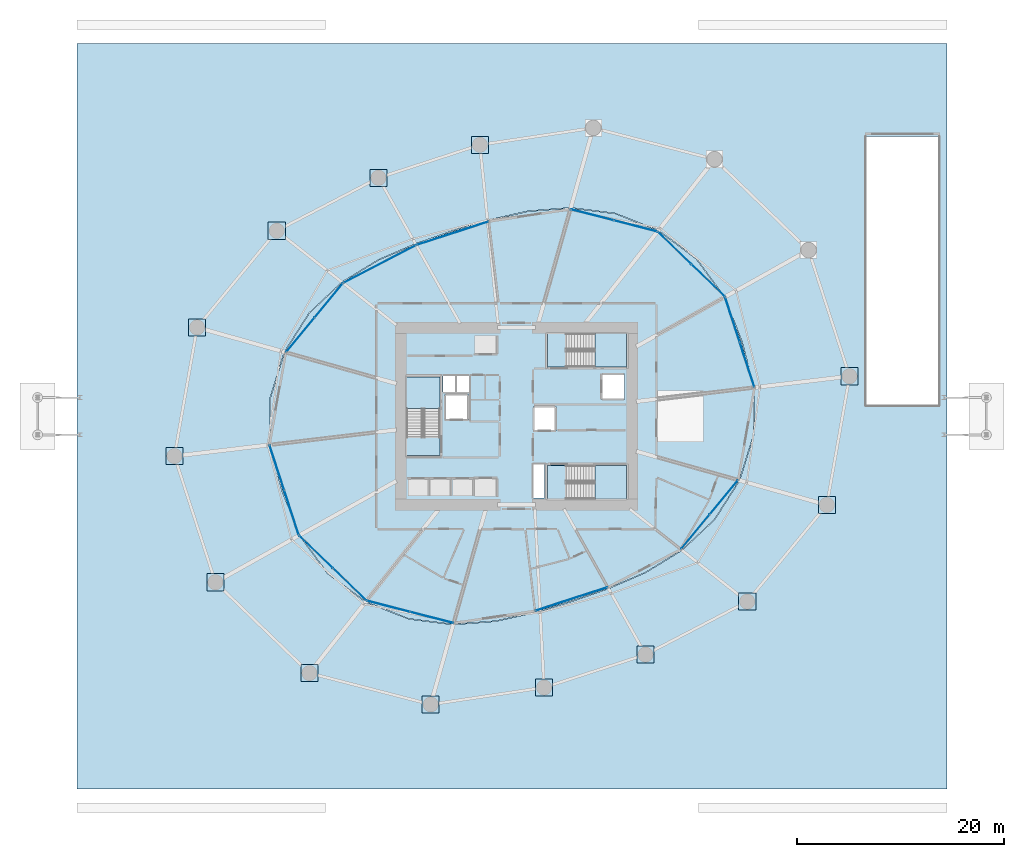
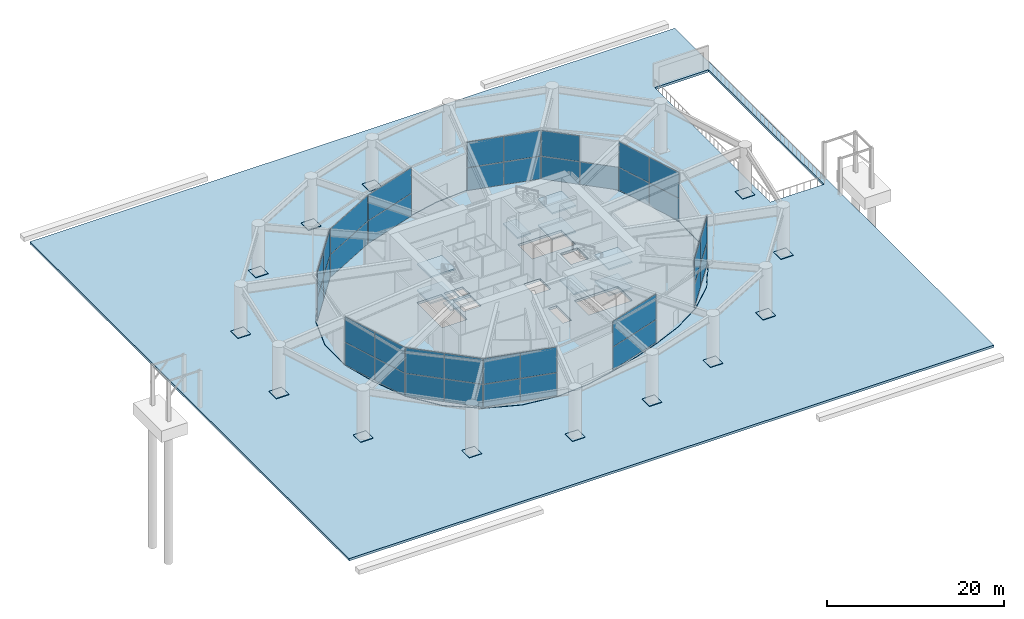
# One storey, part 17 of 28: 50 plates, 11 slabs, 14 elements without a shape of their own.
"""IFC4 building model written with IfcOpenShell, lengths in metres."""

from ifc_helpers import new_model, si_unit, direction, frame, origin, origin_2d, place, context, subcontext, project, spatial, polyline, rectangle, outline, extrude, material, layer, layer_set, type_object, element, aggregate, save


model = new_model("IFC4")

# Units and contexts
model_context = context("Model", 3, precision=1e-05, world=origin(), true_north=direction((0.0, 1.0)))
body_context = subcontext(model_context, "Body", "Model", "MODEL_VIEW")
ifc_project = project(units=[si_unit("LENGTHUNIT", "METRE"), si_unit("AREAUNIT", "SQUARE_METRE"), si_unit("VOLUMEUNIT", "CUBIC_METRE"), si_unit("PLANEANGLEUNIT", "RADIAN"), si_unit("MASSUNIT", "GRAM", prefix="KILO")], contexts=[model_context])

# Site, building, storey
site_placement = place(None, origin())
site = spatial("IfcSite", under=ifc_project, at=site_placement, CompositionType="ELEMENT")
building_placement = place(site_placement, origin())
building = spatial("IfcBuilding", under=site, at=building_placement, Name="Kazma Halo Residences", CompositionType="ELEMENT")
storey_placement = place(building_placement, origin())
storey = spatial("IfcBuildingStorey", under=building, at=storey_placement, Name="L00", CompositionType="ELEMENT", Elevation=0.0)

# Curtain wall, plates
ifc_material_1 = material(Name="Aluminium AW-6063 T6 and Triple-Silver Low-E Glass", Category="aluminium")
ifc_layer_1 = layer(ifc_material_1, 0.179931640625)
ifc_layer_set_1 = layer_set([ifc_layer_1], Name="Aluminium AW-6063 T6 and Triple-Silver Low-E Glass")
curtain_wall_type = type_object("IfcCurtainWallType", Name="CW-SYS-1", PredefinedType="NOTDEFINED", material=ifc_layer_set_1)
curtain_wall_1_placement = place(storey_placement, origin())
curtain_wall_1 = element("IfcCurtainWall", 1, at=curtain_wall_1_placement, inside=storey, type_object=curtain_wall_type, Name="L00 lobby unitised curtain wall 01", PredefinedType="NOTDEFINED")
ifc_material_2 = material(Name="Clear Triple-Silver Low-E Glass IGU", Category="glass")
ifc_layer_2 = layer(ifc_material_2, 0.031982421875)
ifc_layer_set_2 = layer_set([ifc_layer_2], Name="Clear Triple-Silver Low-E Glass IGU")
plate_type_1 = type_object("IfcPlateType", Name="CW-SYS-1-PNL", PredefinedType="CURTAIN_PANEL", material=ifc_layer_set_2)
plate_1_placement = place(storey_placement, frame((66.927734375, 55.10546875, 0.06494140625), z_axis=(0.0, 0.0, 1.0), x_axis=(-0.719691561517, 0.694293926432, 0.0)))
plate_1 = element("IfcPlate", 2, at=plate_1_placement, type_object=plate_type_1, Name="CWS-1 panel 1.1", PredefinedType="CURTAIN_PANEL", context=body_context, shape_type="SweptSolid", body=[
    extrude(rectangle(XDim=4.436279296875, YDim=0.031982421875, at=origin_2d()), origin(), (0.0, 0.0, 1.0), 3.1025390625),
])
plate_2_placement = place(storey_placement, frame((63.68798828125, 58.230712890625, 0.06494140625), z_axis=(0.0, 0.0, 1.0), x_axis=(-0.719691561517, 0.694293926432, 0.0)))
plate_2 = element("IfcPlate", 3, at=plate_2_placement, type_object=plate_type_1, Name="CWS-1 panel 2.1", PredefinedType="CURTAIN_PANEL", context=body_context, shape_type="SweptSolid", body=[
    extrude(rectangle(XDim=4.436279296875, YDim=0.031982421875, at=origin_2d()), origin(), (0.0, 0.0, 1.0), 3.1025390625),
])
plate_3_placement = place(storey_placement, frame((63.68798828125, 58.230712890625, 3.232421875), z_axis=(0.0, 0.0, 1.0), x_axis=(-0.719691561517, 0.694293926432, 0.0)))
plate_3 = element("IfcPlate", 4, at=plate_3_placement, type_object=plate_type_1, Name="CWS-1 panel 2.2", PredefinedType="CURTAIN_PANEL", context=body_context, shape_type="SweptSolid", body=[
    extrude(rectangle(XDim=4.436279296875, YDim=0.031982421875, at=origin_2d()), origin(), (0.0, 0.0, 1.0), 3.50244140625),
])
aggregate(curtain_wall_1, [plate_1, plate_2, plate_3])

curtain_wall_2_placement = place(storey_placement, origin())
curtain_wall_2 = element("IfcCurtainWall", 5, at=curtain_wall_2_placement, inside=storey, type_object=curtain_wall_type, Name="L00 lobby unitised curtain wall 02", PredefinedType="NOTDEFINED")
plate_4_placement = place(storey_placement, frame((59.9267578125, 60.361328125, 0.06494140625), z_axis=(0.0, 0.0, 1.0), x_axis=(-0.968414241538, 0.24934686039, 0.0)))
plate_4 = element("IfcPlate", 6, at=plate_4_placement, type_object=plate_type_1, Name="CWS-1 panel 1.1", PredefinedType="CURTAIN_PANEL", context=body_context, shape_type="SweptSolid", body=[
    extrude(rectangle(XDim=4.244384765625, YDim=0.031982421875, at=origin_2d()), origin(), (0.0, 0.0, 1.0), 3.1025390625),
])
plate_5_placement = place(storey_placement, frame((59.9267578125, 60.361328125, 3.232421875), z_axis=(0.0, 0.0, 1.0), x_axis=(-0.968414241538, 0.24934686039, 0.0)))
plate_5 = element("IfcPlate", 7, at=plate_5_placement, type_object=plate_type_1, Name="CWS-1 panel 1.2", PredefinedType="CURTAIN_PANEL", context=body_context, shape_type="SweptSolid", body=[
    extrude(rectangle(XDim=4.244384765625, YDim=0.031982421875, at=origin_2d()), origin(), (0.0, 0.0, 1.0), 3.50244140625),
])
plate_6_placement = place(storey_placement, frame((55.75341796875, 61.435791015625, 0.06494140625), z_axis=(0.0, 0.0, 1.0), x_axis=(-0.968414241538, 0.24934686039, 0.0)))
plate_6 = element("IfcPlate", 8, at=plate_6_placement, type_object=plate_type_1, Name="CWS-1 panel 2.1", PredefinedType="CURTAIN_PANEL", context=body_context, shape_type="SweptSolid", body=[
    extrude(rectangle(XDim=4.244384765625, YDim=0.031982421875, at=origin_2d()), origin(), (0.0, 0.0, 1.0), 3.1025390625),
])
plate_7_placement = place(storey_placement, frame((55.75341796875, 61.435791015625, 3.232421875), z_axis=(0.0, 0.0, 1.0), x_axis=(-0.968414241538, 0.24934686039, 0.0)))
plate_7 = element("IfcPlate", 9, at=plate_7_placement, type_object=plate_type_1, Name="CWS-1 panel 2.2", PredefinedType="CURTAIN_PANEL", context=body_context, shape_type="SweptSolid", body=[
    extrude(rectangle(XDim=4.244384765625, YDim=0.031982421875, at=origin_2d()), origin(), (0.0, 0.0, 1.0), 3.50244140625),
])
aggregate(curtain_wall_2, [plate_4, plate_5, plate_6, plate_7])

curtain_wall_3_placement = place(storey_placement, origin())
curtain_wall_3 = element("IfcCurtainWall", 10, at=curtain_wall_3_placement, inside=storey, type_object=curtain_wall_type, Name="L00 lobby unitised curtain wall 04", PredefinedType="NOTDEFINED")
plate_8_placement = place(storey_placement, frame((42.26318359375, 59.65576171875, 0.06494140625), z_axis=(0.0, 0.0, 1.0), x_axis=(-0.951055360755, -0.30902055074, 0.0)))
plate_8 = element("IfcPlate", 11, at=plate_8_placement, type_object=plate_type_1, Name="CWS-1 panel 1.1", PredefinedType="CURTAIN_PANEL", context=body_context, shape_type="SweptSolid", body=[
    extrude(rectangle(XDim=7.25537109375, YDim=0.031982421875, at=origin_2d()), origin(), (0.0, 0.0, 1.0), 3.1025390625),
])
plate_9_placement = place(storey_placement, frame((42.26318359375, 59.65576171875, 3.232421875), z_axis=(0.0, 0.0, 1.0), x_axis=(-0.951055360755, -0.30902055074, 0.0)))
plate_9 = element("IfcPlate", 12, at=plate_9_placement, type_object=plate_type_1, Name="CWS-1 panel 1.2", PredefinedType="CURTAIN_PANEL", context=body_context, shape_type="SweptSolid", body=[
    extrude(rectangle(XDim=7.25537109375, YDim=0.031982421875, at=origin_2d()), origin(), (0.0, 0.0, 1.0), 3.50244140625),
])
aggregate(curtain_wall_3, [plate_8, plate_9])

curtain_wall_4_placement = place(storey_placement, origin())
curtain_wall_4 = element("IfcCurtainWall", 13, at=curtain_wall_4_placement, inside=storey, type_object=curtain_wall_type, Name="L00 lobby unitised curtain wall 05", PredefinedType="NOTDEFINED")
plate_10_placement = place(storey_placement, frame((35.223876953125, 56.683837890625, 0.06494140625), z_axis=(0.0, 0.0, 1.0), x_axis=(-0.887564239052, -0.460683971456, 0.0)))
plate_10 = element("IfcPlate", 14, at=plate_10_placement, type_object=plate_type_1, Name="CWS-1 panel 1.1", PredefinedType="CURTAIN_PANEL", context=body_context, shape_type="SweptSolid", body=[
    extrude(rectangle(XDim=7.81884765625, YDim=0.031982421875, at=origin_2d()), origin(), (0.0, 0.0, 1.0), 3.1025390625),
])
plate_11_placement = place(storey_placement, frame((35.223876953125, 56.683837890625, 3.232421875), z_axis=(0.0, 0.0, 1.0), x_axis=(-0.887564239052, -0.460683971456, 0.0)))
plate_11 = element("IfcPlate", 15, at=plate_11_placement, type_object=plate_type_1, Name="CWS-1 panel 1.2", PredefinedType="CURTAIN_PANEL", context=body_context, shape_type="SweptSolid", body=[
    extrude(rectangle(XDim=7.81884765625, YDim=0.031982421875, at=origin_2d()), origin(), (0.0, 0.0, 1.0), 3.50244140625),
])
aggregate(curtain_wall_4, [plate_10, plate_11])

curtain_wall_5_placement = place(storey_placement, origin())
curtain_wall_5 = element("IfcCurtainWall", 16, at=curtain_wall_5_placement, inside=storey, type_object=curtain_wall_type, Name="L00 lobby unitised curtain wall 06", PredefinedType="NOTDEFINED")
plate_12_placement = place(storey_placement, frame((30.30322265625, 53.16650390625, 0.06494140625), z_axis=(0.0, 0.0, 1.0), x_axis=(-0.636902873463, -0.770944051001, 0.0)))
plate_12 = element("IfcPlate", 17, at=plate_12_placement, type_object=plate_type_1, Name="CWS-1 panel 1.1", PredefinedType="CURTAIN_PANEL", context=body_context, shape_type="SweptSolid", body=[
    extrude(rectangle(XDim=4.244384765625, YDim=0.031982421875, at=origin_2d()), origin(), (0.0, 0.0, 1.0), 3.1025390625),
])
plate_13_placement = place(storey_placement, frame((30.30322265625, 53.16650390625, 3.232421875), z_axis=(0.0, 0.0, 1.0), x_axis=(-0.636902873463, -0.770944051001, 0.0)))
plate_13 = element("IfcPlate", 18, at=plate_13_placement, type_object=plate_type_1, Name="CWS-1 panel 1.2", PredefinedType="CURTAIN_PANEL", context=body_context, shape_type="SweptSolid", body=[
    extrude(rectangle(XDim=4.244384765625, YDim=0.031982421875, at=origin_2d()), origin(), (0.0, 0.0, 1.0), 3.50244140625),
])
plate_14_placement = place(storey_placement, frame((27.55859375, 49.84423828125, 0.06494140625), z_axis=(0.0, 0.0, 1.0), x_axis=(-0.636902873463, -0.770944051001, 0.0)))
plate_14 = element("IfcPlate", 19, at=plate_14_placement, type_object=plate_type_1, Name="CWS-1 panel 2.1", PredefinedType="CURTAIN_PANEL", context=body_context, shape_type="SweptSolid", body=[
    extrude(rectangle(XDim=4.244384765625, YDim=0.031982421875, at=origin_2d()), origin(), (0.0, 0.0, 1.0), 3.1025390625),
])
plate_15_placement = place(storey_placement, frame((27.55859375, 49.84423828125, 3.232421875), z_axis=(0.0, 0.0, 1.0), x_axis=(-0.636902873463, -0.770944051001, 0.0)))
plate_15 = element("IfcPlate", 20, at=plate_15_placement, type_object=plate_type_1, Name="CWS-1 panel 2.2", PredefinedType="CURTAIN_PANEL", context=body_context, shape_type="SweptSolid", body=[
    extrude(rectangle(XDim=4.244384765625, YDim=0.031982421875, at=origin_2d()), origin(), (0.0, 0.0, 1.0), 3.50244140625),
])
aggregate(curtain_wall_5, [plate_12, plate_13, plate_14, plate_15])

curtain_wall_6_placement = place(storey_placement, origin())
curtain_wall_6 = element("IfcCurtainWall", 21, at=curtain_wall_6_placement, inside=storey, type_object=curtain_wall_type, Name="L00 lobby unitised curtain wall 08", PredefinedType="NOTDEFINED")
plate_16_placement = place(storey_placement, frame((25.302001953125, 37.026123046875, 0.06494140625), z_axis=(0.0, 0.0, 1.0), x_axis=(0.309014789719, -0.951057232628, 0.0)))
plate_16 = element("IfcPlate", 22, at=plate_16_placement, type_object=plate_type_1, Name="CWS-1 panel 1.1", PredefinedType="CURTAIN_PANEL", context=body_context, shape_type="SweptSolid", body=[
    extrude(rectangle(XDim=4.502197265625, YDim=0.031982421875, at=origin_2d()), origin(), (0.0, 0.0, 1.0), 3.1025390625),
])
plate_17_placement = place(storey_placement, frame((25.302001953125, 37.026123046875, 3.232421875), z_axis=(0.0, 0.0, 1.0), x_axis=(0.309014789719, -0.951057232628, 0.0)))
plate_17 = element("IfcPlate", 23, at=plate_17_placement, type_object=plate_type_1, Name="CWS-1 panel 1.2", PredefinedType="CURTAIN_PANEL", context=body_context, shape_type="SweptSolid", body=[
    extrude(rectangle(XDim=4.502197265625, YDim=0.031982421875, at=origin_2d()), origin(), (0.0, 0.0, 1.0), 3.50244140625),
])
plate_18_placement = place(storey_placement, frame((26.71337890625, 32.6826171875, 0.06494140625), z_axis=(0.0, 0.0, 1.0), x_axis=(0.309014789719, -0.951057232628, 0.0)))
plate_18 = element("IfcPlate", 24, at=plate_18_placement, type_object=plate_type_1, Name="CWS-1 panel 2.1", PredefinedType="CURTAIN_PANEL", context=body_context, shape_type="SweptSolid", body=[
    extrude(rectangle(XDim=4.502197265625, YDim=0.031982421875, at=origin_2d()), origin(), (0.0, 0.0, 1.0), 3.1025390625),
])
plate_19_placement = place(storey_placement, frame((26.71337890625, 32.6826171875, 3.232421875), z_axis=(0.0, 0.0, 1.0), x_axis=(0.309014789719, -0.951057232628, 0.0)))
plate_19 = element("IfcPlate", 25, at=plate_19_placement, type_object=plate_type_1, Name="CWS-1 panel 2.2", PredefinedType="CURTAIN_PANEL", context=body_context, shape_type="SweptSolid", body=[
    extrude(rectangle(XDim=4.502197265625, YDim=0.031982421875, at=origin_2d()), origin(), (0.0, 0.0, 1.0), 3.50244140625),
])
aggregate(curtain_wall_6, [plate_16, plate_17, plate_18, plate_19])

curtain_wall_7_placement = place(storey_placement, origin())
curtain_wall_7 = element("IfcCurtainWall", 26, at=curtain_wall_7_placement, inside=storey, type_object=curtain_wall_type, Name="L00 lobby unitised curtain wall 09", PredefinedType="NOTDEFINED")
plate_20_placement = place(storey_placement, frame((29.072265625, 28.89453125, 0.06494140625), z_axis=(0.0, 0.0, 1.0), x_axis=(0.719691561517, -0.694293926432, 0.0)))
plate_20 = element("IfcPlate", 27, at=plate_20_placement, type_object=plate_type_1, Name="CWS-1 panel 1.1", PredefinedType="CURTAIN_PANEL", context=body_context, shape_type="SweptSolid", body=[
    extrude(rectangle(XDim=4.436279296875, YDim=0.031982421875, at=origin_2d()), origin(), (0.0, 0.0, 1.0), 3.1025390625),
])
plate_21_placement = place(storey_placement, frame((29.072265625, 28.89453125, 3.232421875), z_axis=(0.0, 0.0, 1.0), x_axis=(0.719691561517, -0.694293926432, 0.0)))
plate_21 = element("IfcPlate", 28, at=plate_21_placement, type_object=plate_type_1, Name="CWS-1 panel 1.2", PredefinedType="CURTAIN_PANEL", context=body_context, shape_type="SweptSolid", body=[
    extrude(rectangle(XDim=4.436279296875, YDim=0.031982421875, at=origin_2d()), origin(), (0.0, 0.0, 1.0), 3.50244140625),
])
plate_22_placement = place(storey_placement, frame((32.31201171875, 25.769287109375, 0.06494140625), z_axis=(0.0, 0.0, 1.0), x_axis=(0.719691561517, -0.694293926432, 0.0)))
plate_22 = element("IfcPlate", 29, at=plate_22_placement, type_object=plate_type_1, Name="CWS-1 panel 2.1", PredefinedType="CURTAIN_PANEL", context=body_context, shape_type="SweptSolid", body=[
    extrude(rectangle(XDim=4.436279296875, YDim=0.031982421875, at=origin_2d()), origin(), (0.0, 0.0, 1.0), 3.1025390625),
])
plate_23_placement = place(storey_placement, frame((32.31201171875, 25.769287109375, 3.232421875), z_axis=(0.0, 0.0, 1.0), x_axis=(0.719691561517, -0.694293926432, 0.0)))
plate_23 = element("IfcPlate", 30, at=plate_23_placement, type_object=plate_type_1, Name="CWS-1 panel 2.2", PredefinedType="CURTAIN_PANEL", context=body_context, shape_type="SweptSolid", body=[
    extrude(rectangle(XDim=4.436279296875, YDim=0.031982421875, at=origin_2d()), origin(), (0.0, 0.0, 1.0), 3.50244140625),
])
aggregate(curtain_wall_7, [plate_20, plate_21, plate_22, plate_23])

curtain_wall_8_placement = place(storey_placement, origin())
curtain_wall_8 = element("IfcCurtainWall", 31, at=curtain_wall_8_placement, inside=storey, type_object=curtain_wall_type, Name="L00 lobby unitised curtain wall 10", PredefinedType="NOTDEFINED")
plate_24_placement = place(storey_placement, frame((36.0732421875, 23.638671875, 0.06494140625), z_axis=(0.0, 0.0, 1.0), x_axis=(0.968414241538, -0.24934686039, 0.0)))
plate_24 = element("IfcPlate", 32, at=plate_24_placement, type_object=plate_type_1, Name="CWS-1 panel 1.1", PredefinedType="CURTAIN_PANEL", context=body_context, shape_type="SweptSolid", body=[
    extrude(rectangle(XDim=4.244384765625, YDim=0.031982421875, at=origin_2d()), origin(), (0.0, 0.0, 1.0), 3.1025390625),
])
plate_25_placement = place(storey_placement, frame((36.0732421875, 23.638671875, 3.232421875), z_axis=(0.0, 0.0, 1.0), x_axis=(0.968414241538, -0.24934686039, 0.0)))
plate_25 = element("IfcPlate", 33, at=plate_25_placement, type_object=plate_type_1, Name="CWS-1 panel 1.2", PredefinedType="CURTAIN_PANEL", context=body_context, shape_type="SweptSolid", body=[
    extrude(rectangle(XDim=4.244384765625, YDim=0.031982421875, at=origin_2d()), origin(), (0.0, 0.0, 1.0), 3.50244140625),
])
plate_26_placement = place(storey_placement, frame((40.24658203125, 22.564208984375, 0.06494140625), z_axis=(0.0, 0.0, 1.0), x_axis=(0.968414241538, -0.24934686039, 0.0)))
plate_26 = element("IfcPlate", 34, at=plate_26_placement, type_object=plate_type_1, Name="CWS-1 panel 2.1", PredefinedType="CURTAIN_PANEL", context=body_context, shape_type="SweptSolid", body=[
    extrude(rectangle(XDim=4.244384765625, YDim=0.031982421875, at=origin_2d()), origin(), (0.0, 0.0, 1.0), 3.1025390625),
])
plate_27_placement = place(storey_placement, frame((40.24658203125, 22.564208984375, 3.232421875), z_axis=(0.0, 0.0, 1.0), x_axis=(0.968414241538, -0.24934686039, 0.0)))
plate_27 = element("IfcPlate", 35, at=plate_27_placement, type_object=plate_type_1, Name="CWS-1 panel 2.2", PredefinedType="CURTAIN_PANEL", context=body_context, shape_type="SweptSolid", body=[
    extrude(rectangle(XDim=4.244384765625, YDim=0.031982421875, at=origin_2d()), origin(), (0.0, 0.0, 1.0), 3.50244140625),
])
aggregate(curtain_wall_8, [plate_24, plate_25, plate_26, plate_27])

curtain_wall_9_placement = place(storey_placement, origin())
curtain_wall_9 = element("IfcCurtainWall", 36, at=curtain_wall_9_placement, inside=storey, type_object=curtain_wall_type, Name="L00 lobby unitised curtain wall 12", PredefinedType="NOTDEFINED")
plate_28_placement = place(storey_placement, frame((53.73681640625, 24.34423828125, 0.06494140625), z_axis=(0.0, 0.0, 1.0), x_axis=(0.951055360755, 0.30902055074, 0.0)))
plate_28 = element("IfcPlate", 37, at=plate_28_placement, type_object=plate_type_1, Name="CWS-1 panel 1.1", PredefinedType="CURTAIN_PANEL", context=body_context, shape_type="SweptSolid", body=[
    extrude(rectangle(XDim=7.25537109375, YDim=0.031982421875, at=origin_2d()), origin(), (0.0, 0.0, 1.0), 3.1025390625),
])
plate_29_placement = place(storey_placement, frame((53.73681640625, 24.34423828125, 3.232421875), z_axis=(0.0, 0.0, 1.0), x_axis=(0.951055360755, 0.30902055074, 0.0)))
plate_29 = element("IfcPlate", 38, at=plate_29_placement, type_object=plate_type_1, Name="CWS-1 panel 1.2", PredefinedType="CURTAIN_PANEL", context=body_context, shape_type="SweptSolid", body=[
    extrude(rectangle(XDim=7.25537109375, YDim=0.031982421875, at=origin_2d()), origin(), (0.0, 0.0, 1.0), 3.50244140625),
])
aggregate(curtain_wall_9, [plate_28, plate_29])

curtain_wall_10_placement = place(storey_placement, origin())
curtain_wall_10 = element("IfcCurtainWall", 39, at=curtain_wall_10_placement, inside=storey, type_object=curtain_wall_type, Name="L00 lobby unitised curtain wall 14", PredefinedType="NOTDEFINED")
plate_30_placement = place(storey_placement, frame((65.69677734375, 30.83349609375, 0.06494140625), z_axis=(0.0, 0.0, 1.0), x_axis=(0.636902873463, 0.770944051001, 0.0)))
plate_30 = element("IfcPlate", 40, at=plate_30_placement, type_object=plate_type_1, Name="CWS-1 panel 1.1", PredefinedType="CURTAIN_PANEL", context=body_context, shape_type="SweptSolid", body=[
    extrude(rectangle(XDim=4.244384765625, YDim=0.031982421875, at=origin_2d()), origin(), (0.0, 0.0, 1.0), 3.1025390625),
])
plate_31_placement = place(storey_placement, frame((65.69677734375, 30.83349609375, 3.232421875), z_axis=(0.0, 0.0, 1.0), x_axis=(0.636902873463, 0.770944051001, 0.0)))
plate_31 = element("IfcPlate", 41, at=plate_31_placement, type_object=plate_type_1, Name="CWS-1 panel 1.2", PredefinedType="CURTAIN_PANEL", context=body_context, shape_type="SweptSolid", body=[
    extrude(rectangle(XDim=4.244384765625, YDim=0.031982421875, at=origin_2d()), origin(), (0.0, 0.0, 1.0), 3.50244140625),
])
plate_32_placement = place(storey_placement, frame((68.44140625, 34.15576171875, 0.06494140625), z_axis=(0.0, 0.0, 1.0), x_axis=(0.636902873463, 0.770944051001, 0.0)))
plate_32 = element("IfcPlate", 42, at=plate_32_placement, type_object=plate_type_1, Name="CWS-1 panel 2.1", PredefinedType="CURTAIN_PANEL", context=body_context, shape_type="SweptSolid", body=[
    extrude(rectangle(XDim=4.244384765625, YDim=0.031982421875, at=origin_2d()), origin(), (0.0, 0.0, 1.0), 3.1025390625),
])
plate_33_placement = place(storey_placement, frame((68.44140625, 34.15576171875, 3.232421875), z_axis=(0.0, 0.0, 1.0), x_axis=(0.636902873463, 0.770944051001, 0.0)))
plate_33 = element("IfcPlate", 43, at=plate_33_placement, type_object=plate_type_1, Name="CWS-1 panel 2.2", PredefinedType="CURTAIN_PANEL", context=body_context, shape_type="SweptSolid", body=[
    extrude(rectangle(XDim=4.244384765625, YDim=0.031982421875, at=origin_2d()), origin(), (0.0, 0.0, 1.0), 3.50244140625),
])
aggregate(curtain_wall_10, [plate_30, plate_31, plate_32, plate_33])

curtain_wall_11_placement = place(storey_placement, origin())
curtain_wall_11 = element("IfcCurtainWall", 44, at=curtain_wall_11_placement, inside=storey, type_object=curtain_wall_type, Name="L00 lobby unitised curtain wall 16", PredefinedType="NOTDEFINED")
plate_34_placement = place(storey_placement, frame((70.697998046875, 46.973876953125, 0.06494140625), z_axis=(0.0, 0.0, 1.0), x_axis=(-0.309014789719, 0.951057232628, 0.0)))
plate_34 = element("IfcPlate", 45, at=plate_34_placement, type_object=plate_type_1, Name="CWS-1 panel 1.1", PredefinedType="CURTAIN_PANEL", context=body_context, shape_type="SweptSolid", body=[
    extrude(rectangle(XDim=4.502197265625, YDim=0.031982421875, at=origin_2d()), origin(), (0.0, 0.0, 1.0), 3.1025390625),
])
plate_35_placement = place(storey_placement, frame((70.697998046875, 46.973876953125, 3.232421875), z_axis=(0.0, 0.0, 1.0), x_axis=(-0.309014789719, 0.951057232628, 0.0)))
plate_35 = element("IfcPlate", 46, at=plate_35_placement, type_object=plate_type_1, Name="CWS-1 panel 1.2", PredefinedType="CURTAIN_PANEL", context=body_context, shape_type="SweptSolid", body=[
    extrude(rectangle(XDim=4.502197265625, YDim=0.031982421875, at=origin_2d()), origin(), (0.0, 0.0, 1.0), 3.50244140625),
])
plate_36_placement = place(storey_placement, frame((69.28662109375, 51.3173828125, 0.06494140625), z_axis=(0.0, 0.0, 1.0), x_axis=(-0.309014789719, 0.951057232628, 0.0)))
plate_36 = element("IfcPlate", 47, at=plate_36_placement, type_object=plate_type_1, Name="CWS-1 panel 2.1", PredefinedType="CURTAIN_PANEL", context=body_context, shape_type="SweptSolid", body=[
    extrude(rectangle(XDim=4.502197265625, YDim=0.031982421875, at=origin_2d()), origin(), (0.0, 0.0, 1.0), 3.1025390625),
])
plate_37_placement = place(storey_placement, frame((69.28662109375, 51.3173828125, 3.232421875), z_axis=(0.0, 0.0, 1.0), x_axis=(-0.309014789719, 0.951057232628, 0.0)))
plate_37 = element("IfcPlate", 48, at=plate_37_placement, type_object=plate_type_1, Name="CWS-1 panel 2.2", PredefinedType="CURTAIN_PANEL", context=body_context, shape_type="SweptSolid", body=[
    extrude(rectangle(XDim=4.502197265625, YDim=0.031982421875, at=origin_2d()), origin(), (0.0, 0.0, 1.0), 3.50244140625),
])
aggregate(curtain_wall_11, [plate_34, plate_35, plate_36, plate_37])

# Plates
ifc_material_3 = material(Name="Steel S355", Category="steel")
ifc_layer_3 = layer(ifc_material_3, 0.06005859375)
ifc_layer_set_3 = layer_set([ifc_layer_3], Name="Steel S355")
plate_type_2 = type_object("IfcPlateType", Name="PLT-BASE-60", PredefinedType="USERDEFINED", material=ifc_layer_set_3)
for number, where, z_axis, x_axis, name in (
    (49, (44.8994140625, 68.196044921875, 0.0), (0.0, 0.0, 1.0), (1.0, 0.0, 0.0), "L00 pilotis column base plate 04"),
    (50, (35.110595703125, 65.015625, 0.0), (0.0, 0.0, 1.0), (1.0, 0.0, 0.0), "L00 pilotis column base plate 05"),
    (51, (25.291015625, 59.90234375, 0.0), (0.0, 0.0, 1.0), (1.0, 0.0, 0.0), "L00 pilotis column base plate 06"),
    (52, (17.602294921875, 50.572998046875, 0.0), (0.0, 0.0, 1.0), (1.0, 0.0, 0.0), "L00 pilotis column base plate 07"),
    (53, (15.410400390625, 38.142822265625, 0.0), (0.0, 0.0, 1.0), (1.0, 0.0, 0.0), "L00 pilotis column base plate 08"),
    (54, (19.3671875, 25.96484375, 0.0), (0.0, 0.0, 1.0), (1.0, 0.0, 0.0), "L00 pilotis column base plate 09"),
    (55, (28.44677734375, 17.19677734375, 0.0), (0.0, 0.0, 1.0), (1.0, 0.0, 0.0), "L00 pilotis column base plate 10"),
    (56, (40.15087890625, 14.168701171875, 0.0), (0.0, 0.0, 1.0), (1.0, 0.0, 0.0), "L00 pilotis column base plate 11"),
    (57, (51.1005859375, 15.803955078125, 0.0), (0.0, 0.0, 1.0), (1.0, 0.0, 0.0), "L00 pilotis column base plate 12"),
    (58, (60.889404296875, 18.984375, 0.0), (0.0, 0.0, 1.0), (1.0, 0.0, 0.0), "L00 pilotis column base plate 13"),
    (59, (70.708984375, 24.09765625, 0.0), (0.0, 0.0, 1.0), (1.0, 0.0, 0.0), "L00 pilotis column base plate 14"),
    (60, (78.397705078125, 33.427001953125, 0.0), (0.0, 0.0, 1.0), (1.0, 0.0, 0.0), "L00 pilotis column base plate 15"),
    (61, (80.589599609375, 45.857177734375, 0.0), (0.0, 0.0, 1.0), (1.0, 0.0, 0.0), "L00 pilotis column base plate 16"),
):
    element("IfcPlate", number, at=place(storey_placement, frame(where, z_axis=z_axis, x_axis=x_axis)), inside=storey, type_object=plate_type_2, Name=name, ObjectType="FLANGE_PLATE", PredefinedType="USERDEFINED", context=body_context, shape_type="SweptSolid", body=[
        extrude(rectangle(XDim=1.64990234375, YDim=1.64990234375, at=origin_2d()), origin(), (0.0, 0.0, 1.0), 0.06005859375),
    ])

# Slabs
ifc_material_4 = material(Name="Limestone Concrete C40/50", Category="masonry")
ifc_layer_4 = layer(ifc_material_4, 0.320068359375)
ifc_layer_set_4 = layer_set([ifc_layer_4], Name="Limestone Concrete C40/50")
slab_type_1 = type_object("IfcSlabType", Name="SLB-PLAZA-250", PredefinedType="USERDEFINED", material=ifc_layer_set_4)
slab_1_placement = place(storey_placement, frame((0.0, 0.0, -0.320068359375)))
element("IfcSlab", 62, at=slab_1_placement, inside=storey, type_object=slab_type_1, Name="L00 open-pilotis public plaza and fire-appliance deck", ObjectType="PAVING", PredefinedType="USERDEFINED", context=body_context, shape_type="SweptSolid", body=[
    extrude(outline(polyline([(6.0, 6.0), (90.0, 6.0), (90.0, 78.0), (6.0, 78.0), (6.0, 6.0)]), holes=[polyline([(70.214111328125, 49.2177734375), (68.547607421875, 53.507080078125), (65.805908203125, 57.207763671875), (62.14404296875, 59.94140625), (57.979248046875, 61.585205078125), (53.6787109375, 62.13525390625), (49.558837890625, 61.8076171875), (45.75634765625, 60.955810546875), (42.19091796875, 59.87890625), (38.673095703125, 58.654296875), (35.09619140625, 57.1083984375), (31.57080078125, 54.951904296875), (28.414794921875, 51.979248046875), (26.011474609375, 48.201416015625), (24.65576171875, 43.837158203125), (24.61279296875, 39.23193359375), (25.785888671875, 34.7822265625), (27.452392578125, 30.492919921875), (30.194091796875, 26.792236328125), (33.85595703125, 24.05859375), (38.020751953125, 22.414794921875), (42.3212890625, 21.86474609375), (46.441162109375, 22.1923828125), (50.24365234375, 23.044189453125), (53.80908203125, 24.12109375), (57.326904296875, 25.345703125), (60.90380859375, 26.8916015625), (64.42919921875, 29.048095703125), (67.585205078125, 32.020751953125), (69.988525390625, 35.798583984375), (71.34423828125, 40.162841796875), (71.38720703125, 44.76806640625), (70.214111328125, 49.2177734375)]), polyline([(82.199951171875, 43.0), (89.199951171875, 43.0), (89.199951171875, 69.0), (82.199951171875, 69.0), (82.199951171875, 43.0)])]), origin(), (0.0, 0.0, 1.0), 0.320068359375),
])
ifc_material_5 = material(Name="Concrete C50/60", Category="concrete")
ifc_layer_5 = layer(ifc_material_5, 0.320068359375)
ifc_layer_set_5 = layer_set([ifc_layer_5], Name="Concrete C50/60")
slab_type_2 = type_object("IfcSlabType", Name="SLB-POD-320", PredefinedType="FLOOR", material=ifc_layer_set_5)
slab_2_placement = place(storey_placement, frame((0.0, 0.0, -0.320068359375)))
element("IfcSlab", 63, at=slab_2_placement, inside=storey, type_object=slab_type_2, Name="L00 structural floor slab", PredefinedType="FLOOR", context=body_context, shape_type="SweptSolid", body=[
    extrude(outline(polyline([(70.17626953125, 49.20556640625), (68.5126953125, 53.48779296875), (65.775634765625, 57.181884765625), (62.119140625, 59.91015625), (57.9609375, 61.549560546875), (53.667724609375, 62.0966796875), (49.555908203125, 61.767822265625), (45.760986328125, 60.916015625), (42.203125, 59.8408203125), (38.692626953125, 58.619384765625), (35.1220703125, 57.077880859375), (31.60205078125, 54.927001953125), (28.450439453125, 51.9609375), (26.050048828125, 48.1904296875), (24.695556640625, 43.833984375), (24.652587890625, 39.236572265625), (25.82373046875, 34.79443359375), (27.4873046875, 30.51220703125), (30.224365234375, 26.818115234375), (33.880859375, 24.08984375), (38.0390625, 22.450439453125), (42.332275390625, 21.9033203125), (46.444091796875, 22.232177734375), (50.239013671875, 23.083984375), (53.796875, 24.1591796875), (57.307373046875, 25.380615234375), (60.8779296875, 26.922119140625), (64.39794921875, 29.072998046875), (67.549560546875, 32.0390625), (69.949951171875, 35.8095703125), (71.304443359375, 40.166015625), (71.347412109375, 44.763427734375), (70.17626953125, 49.20556640625)]), holes=[polyline([(37.800048828125, 40.110107421875), (41.050048828125, 40.110107421875), (41.050048828125, 45.800048828125), (37.800048828125, 45.800048828125), (37.800048828125, 40.110107421875)]), polyline([(53.360107421875, 46.75), (59.050048828125, 46.75), (59.050048828125, 50.0), (53.360107421875, 50.0), (53.360107421875, 46.75)]), polyline([(53.360107421875, 34.0), (59.050048828125, 34.0), (59.050048828125, 37.25), (53.360107421875, 37.25), (53.360107421875, 34.0)]), polyline([(41.52001953125, 41.6201171875), (43.780029296875, 41.6201171875), (43.780029296875, 44.080078125), (41.52001953125, 44.080078125), (41.52001953125, 41.6201171875)]), polyline([(56.6201171875, 43.6201171875), (58.8798828125, 43.6201171875), (58.8798828125, 46.080078125), (56.6201171875, 46.080078125), (56.6201171875, 43.6201171875)]), polyline([(50.070068359375, 40.570068359375), (52.22998046875, 40.570068359375), (52.22998046875, 42.929931640625), (50.070068359375, 42.929931640625), (50.070068359375, 40.570068359375)]), polyline([(41.360107421875, 44.340087890625), (42.5400390625, 44.340087890625), (42.5400390625, 45.89990234375), (41.360107421875, 45.89990234375), (41.360107421875, 44.340087890625)]), polyline([(42.659912109375, 44.340087890625), (43.840087890625, 44.340087890625), (43.840087890625, 45.89990234375), (42.659912109375, 45.89990234375), (42.659912109375, 44.340087890625)]), polyline([(50.06005859375, 34.080078125), (51.159912109375, 34.080078125), (51.159912109375, 37.3798828125), (50.06005859375, 37.3798828125), (50.06005859375, 34.080078125)])]), origin(), (0.0, 0.0, 1.0), 0.320068359375),
])

# Stair, slabs
stair_type = type_object("IfcStairType", Name="STR-POD", PredefinedType="HALF_TURN_STAIR", material=ifc_material_5)
stair_1_placement = place(storey_placement, origin())
stair_1 = element("IfcStair", 64, at=stair_1_placement, inside=storey, type_object=stair_type, Name="L00 Core exit stair ST-01", PredefinedType="HALF_TURN_STAIR")
ifc_layer_6 = layer(ifc_material_5, 0.199951171875)
ifc_layer_set_6 = layer_set([ifc_layer_6], Name="Concrete C50/60")
slab_type_3 = type_object("IfcSlabType", Name="SLB-STAIR-LND-200", PredefinedType="LANDING", material=ifc_layer_set_6)
slab_3_placement = place(storey_placement, frame((0.0, 0.0, 1.60009765625)))
slab_3 = element("IfcSlab", 65, at=slab_3_placement, type_object=slab_type_3, Name="ST-01 landing 1", PredefinedType="LANDING", context=body_context, shape_type="SweptSolid", body=[
    extrude(outline(polyline([(41.050048828125, 42.75), (41.050048828125, 45.800048828125), (37.800048828125, 45.800048828125), (37.800048828125, 42.75), (41.050048828125, 42.75)])), origin(), (0.0, 0.0, 1.0), 0.199951171875),
])
slab_4_placement = place(storey_placement, frame((0.0, 0.0, 3.39990234375)))
slab_4 = element("IfcSlab", 66, at=slab_4_placement, type_object=slab_type_3, Name="ST-01 landing 2", PredefinedType="LANDING", context=body_context, shape_type="SweptSolid", body=[
    extrude(outline(polyline([(41.050048828125, 38.199951171875), (41.050048828125, 39.949951171875), (37.800048828125, 39.949951171875), (37.800048828125, 38.199951171875), (41.050048828125, 38.199951171875)])), origin(), (0.0, 0.0, 1.0), 0.2001953125),
])
slab_5_placement = place(storey_placement, frame((0.0, 0.0, 5.199951171875)))
slab_5 = element("IfcSlab", 67, at=slab_5_placement, type_object=slab_type_3, Name="ST-01 landing 3", PredefinedType="LANDING", context=body_context, shape_type="SweptSolid", body=[
    extrude(outline(polyline([(41.050048828125, 42.75), (41.050048828125, 45.800048828125), (37.800048828125, 45.800048828125), (37.800048828125, 42.75), (41.050048828125, 42.75)])), origin(), (0.0, 0.0, 1.0), 0.199951171875),
])
aggregate(stair_1, [slab_3, slab_4, slab_5])

stair_2_placement = place(storey_placement, origin())
stair_2 = element("IfcStair", 68, at=stair_2_placement, inside=storey, type_object=stair_type, Name="L00 Core exit stair ST-02", PredefinedType="HALF_TURN_STAIR")
slab_6_placement = place(storey_placement, frame((0.0, 0.0, 1.60009765625)))
slab_6 = element("IfcSlab", 69, at=slab_6_placement, type_object=slab_type_3, Name="ST-02 landing 1", PredefinedType="LANDING", context=body_context, shape_type="SweptSolid", body=[
    extrude(outline(polyline([(56.0, 46.75), (59.050048828125, 46.75), (59.050048828125, 50.0), (56.0, 50.0), (56.0, 46.75)])), origin(), (0.0, 0.0, 1.0), 0.199951171875),
])
slab_7_placement = place(storey_placement, frame((0.0, 0.0, 3.39990234375)))
slab_7 = element("IfcSlab", 70, at=slab_7_placement, type_object=slab_type_3, Name="ST-02 landing 2", PredefinedType="LANDING", context=body_context, shape_type="SweptSolid", body=[
    extrude(outline(polyline([(51.449951171875, 46.75), (53.199951171875, 46.75), (53.199951171875, 50.0), (51.449951171875, 50.0), (51.449951171875, 46.75)])), origin(), (0.0, 0.0, 1.0), 0.2001953125),
])
slab_8_placement = place(storey_placement, frame((0.0, 0.0, 5.199951171875)))
slab_8 = element("IfcSlab", 71, at=slab_8_placement, type_object=slab_type_3, Name="ST-02 landing 3", PredefinedType="LANDING", context=body_context, shape_type="SweptSolid", body=[
    extrude(outline(polyline([(56.0, 46.75), (59.050048828125, 46.75), (59.050048828125, 50.0), (56.0, 50.0), (56.0, 46.75)])), origin(), (0.0, 0.0, 1.0), 0.199951171875),
])
aggregate(stair_2, [slab_6, slab_7, slab_8])

stair_3_placement = place(storey_placement, origin())
stair_3 = element("IfcStair", 72, at=stair_3_placement, inside=storey, type_object=stair_type, Name="L00 Core exit stair ST-03", PredefinedType="HALF_TURN_STAIR")
slab_9_placement = place(storey_placement, frame((0.0, 0.0, 1.60009765625)))
slab_9 = element("IfcSlab", 73, at=slab_9_placement, type_object=slab_type_3, Name="ST-03 landing 1", PredefinedType="LANDING", context=body_context, shape_type="SweptSolid", body=[
    extrude(outline(polyline([(56.0, 34.0), (59.050048828125, 34.0), (59.050048828125, 37.25), (56.0, 37.25), (56.0, 34.0)])), origin(), (0.0, 0.0, 1.0), 0.199951171875),
])
slab_10_placement = place(storey_placement, frame((0.0, 0.0, 3.39990234375)))
slab_10 = element("IfcSlab", 74, at=slab_10_placement, type_object=slab_type_3, Name="ST-03 landing 2", PredefinedType="LANDING", context=body_context, shape_type="SweptSolid", body=[
    extrude(outline(polyline([(51.449951171875, 34.0), (53.199951171875, 34.0), (53.199951171875, 37.25), (51.449951171875, 37.25), (51.449951171875, 34.0)])), origin(), (0.0, 0.0, 1.0), 0.2001953125),
])
slab_11_placement = place(storey_placement, frame((0.0, 0.0, 5.199951171875)))
slab_11 = element("IfcSlab", 75, at=slab_11_placement, type_object=slab_type_3, Name="ST-03 landing 3", PredefinedType="LANDING", context=body_context, shape_type="SweptSolid", body=[
    extrude(outline(polyline([(56.0, 34.0), (59.050048828125, 34.0), (59.050048828125, 37.25), (56.0, 37.25), (56.0, 34.0)])), origin(), (0.0, 0.0, 1.0), 0.199951171875),
])
aggregate(stair_3, [slab_9, slab_10, slab_11])

save(model, "model.ifc")
